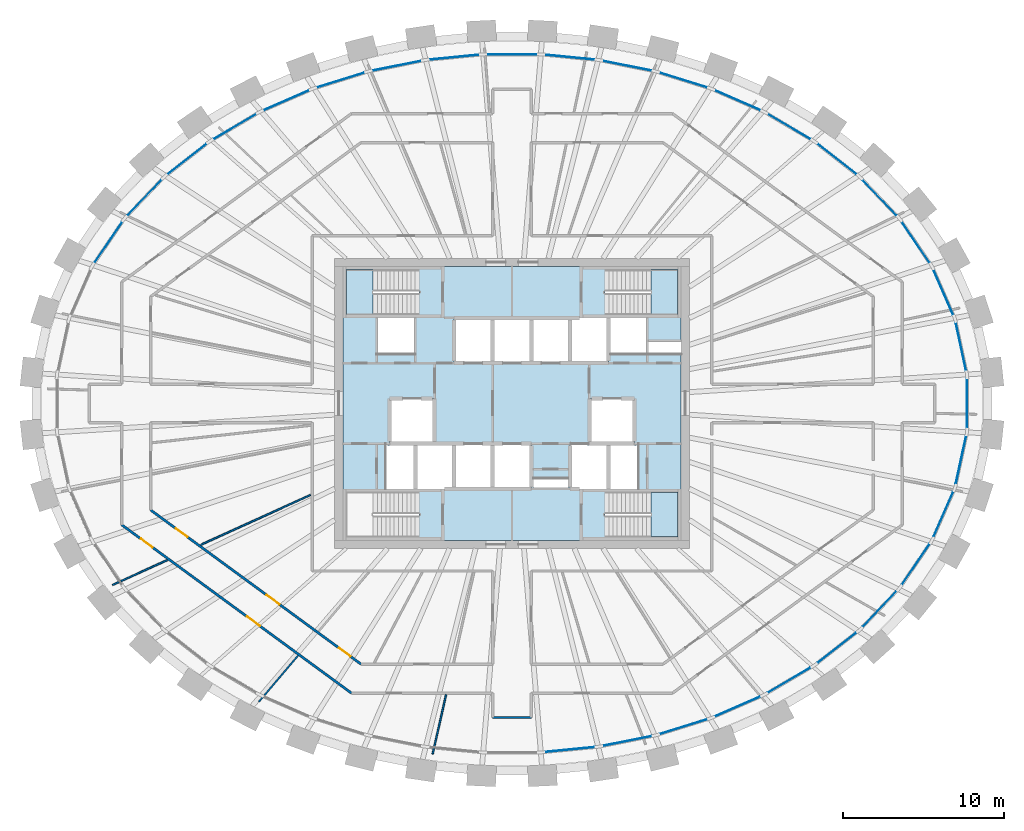
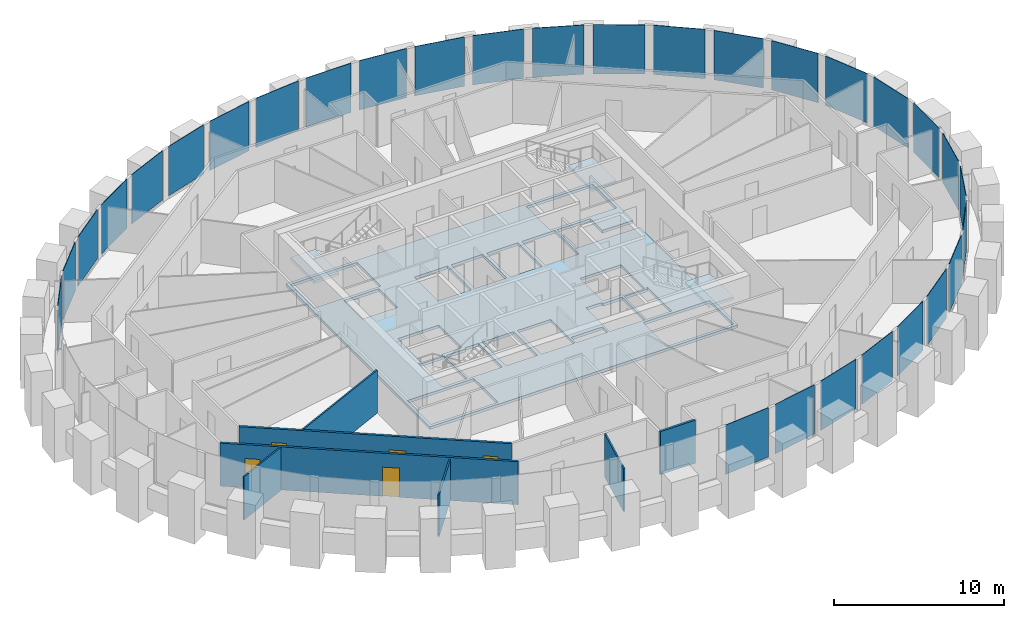
# One storey, part 5 of 12: 30 plates, 7 walls, 5 doors, 4 slabs, 5 openings, 4 elements without a shape of their own.
"""IFC4 building model written with IfcOpenShell, lengths in metres."""

from ifc_helpers import new_model, si_unit, direction, frame, frame_2d, origin, origin_2d, place, context, subcontext, project, spatial, polyline, rectangle, outline, extrude, source, transform, mapped, material, layer, layer_set, type_object, element, fill, aggregate, save


model = new_model("IFC4")

# Units and contexts
model_context = context("Model", 3, precision=1e-05, world=origin(), true_north=direction((0.0, 1.0)))
body_context = subcontext(model_context, "Body", "Model", "MODEL_VIEW")
ifc_project = project(units=[si_unit("LENGTHUNIT", "METRE"), si_unit("AREAUNIT", "SQUARE_METRE"), si_unit("VOLUMEUNIT", "CUBIC_METRE"), si_unit("PLANEANGLEUNIT", "RADIAN"), si_unit("MASSUNIT", "GRAM", prefix="KILO")], contexts=[model_context])

# Site, building, storey
site_placement = place(None, origin())
site = spatial("IfcSite", under=ifc_project, at=site_placement, CompositionType="ELEMENT")
building_placement = place(site_placement, origin())
building = spatial("IfcBuilding", under=site, at=building_placement, Name="Embergate Tower", CompositionType="ELEMENT")
storey_placement = place(building_placement, frame((0.0, 0.0, 320.800048828125)))
storey = spatial("IfcBuildingStorey", under=building, at=storey_placement, Name="L75", CompositionType="ELEMENT", Elevation=320.800048828125)

# Curtain wall, plates
ifc_material_1 = material(Name="Aluminium and glass", Category="aluminium")
curtain_wall_type = type_object("IfcCurtainWallType", Name="Recessed office glazing", PredefinedType="NOTDEFINED", material=ifc_material_1)
curtain_wall_placement = place(storey_placement, origin())
curtain_wall = element("IfcCurtainWall", 1, at=curtain_wall_placement, inside=storey, type_object=curtain_wall_type, Name="Recessed office glazing ring", ObjectType="RECESSED OFFICE GLAZING", PredefinedType="USERDEFINED")
ifc_material_2 = material(Name="Triple glazing, low-emissivity coating", Category="glass")
ifc_layer_1 = layer(ifc_material_2, 0.035888671875)
ifc_layer_set_1 = layer_set([ifc_layer_1], Name="Triple glazing, low-emissivity coating")
plate_type = type_object("IfcPlateType", Name="Office glazing unit", PredefinedType="CURTAIN_PANEL", material=ifc_layer_set_1)
shared_shape_1 = source(origin(), body_context, "Body", "SweptSolid", [
    extrude(rectangle(XDim=3.03515625, YDim=0.035888671875, at=origin_2d()), origin(), (0.0, 0.0, 1.0), 3.550048828125),
])
plate_1_placement = place(storey_placement, frame((27.854736328125, 3.513916015625, 0.14990234375), z_axis=(0.0, 0.0, 1.0), x_axis=(-0.210400097438, 0.977615363524, 0.0)))
plate_1 = element("IfcPlate", 2, at=plate_1_placement, type_object=plate_type, Name="CW panel 1.1", PredefinedType="CURTAIN_PANEL", context=body_context, shape_type="MappedRepresentation", body=[
    mapped(shared_shape_1, transform((0.0, 0.0, 0.0))),
])
plate_2_placement = place(storey_placement, frame((27.854736328125, -3.513916015625, 0.14990234375), z_axis=(0.0, 0.0, 1.0), x_axis=(0.210400097438, 0.977615363524, 0.0)))
plate_2 = element("IfcPlate", 3, at=plate_2_placement, type_object=plate_type, Name="CW panel 43.1", PredefinedType="CURTAIN_PANEL", context=body_context, shape_type="MappedRepresentation", body=[
    mapped(shared_shape_1, transform((0.0, 0.0, 0.0))),
])
shared_shape_2 = source(origin(), body_context, "Body", "SweptSolid", [
    extrude(rectangle(XDim=3.041748046875, YDim=0.035888671875, at=origin_2d()), origin(), (0.0, 0.0, 1.0), 3.550048828125),
])
plate_3_placement = place(storey_placement, frame((26.765380859375, 6.8828125, 0.14990234375), z_axis=(0.0, 0.0, 1.0), x_axis=(-0.401653699516, 0.915791627864, 0.0)))
plate_3 = element("IfcPlate", 4, at=plate_3_placement, type_object=plate_type, Name="CW panel 2.1", PredefinedType="CURTAIN_PANEL", context=body_context, shape_type="MappedRepresentation", body=[
    mapped(shared_shape_2, transform((0.0, 0.0, 0.0))),
])
plate_4_placement = place(storey_placement, frame((26.765380859375, -6.8828125, 0.14990234375), z_axis=(0.0, 0.0, 1.0), x_axis=(0.401653699516, 0.915791627864, 0.0)))
plate_4 = element("IfcPlate", 5, at=plate_4_placement, type_object=plate_type, Name="CW panel 42.1", PredefinedType="CURTAIN_PANEL", context=body_context, shape_type="MappedRepresentation", body=[
    mapped(shared_shape_2, transform((0.0, 0.0, 0.0))),
])
shared_shape_3 = source(origin(), body_context, "Body", "SweptSolid", [
    extrude(rectangle(XDim=3.05029296875, YDim=0.035888671875, at=origin_2d()), origin(), (0.0, 0.0, 1.0), 3.550048828125),
])
plate_5_placement = place(storey_placement, frame((25.04638671875, 9.98974609375, 0.14990234375), z_axis=(0.0, 0.0, 1.0), x_axis=(-0.562341741915, 0.826904931234, 0.0)))
plate_5 = element("IfcPlate", 6, at=plate_5_placement, type_object=plate_type, Name="CW panel 3.1", PredefinedType="CURTAIN_PANEL", context=body_context, shape_type="MappedRepresentation", body=[
    mapped(shared_shape_3, transform((0.0, 0.0, 0.0))),
])
plate_6_placement = place(storey_placement, frame((-25.04638671875, 9.98974609375, 0.14990234375), z_axis=(0.0, 0.0, 1.0), x_axis=(-0.562341741915, -0.826904931234, 0.0)))
plate_6 = element("IfcPlate", 7, at=plate_6_placement, type_object=plate_type, Name="CW panel 19.1", PredefinedType="CURTAIN_PANEL", context=body_context, shape_type="MappedRepresentation", body=[
    mapped(shared_shape_3, transform((0.0, 0.0, 0.0))),
])
plate_7_placement = place(storey_placement, frame((25.04638671875, -9.98974609375, 0.14990234375), z_axis=(0.0, 0.0, 1.0), x_axis=(0.562341741915, 0.826904931234, 0.0)))
plate_7 = element("IfcPlate", 8, at=plate_7_placement, type_object=plate_type, Name="CW panel 41.1", PredefinedType="CURTAIN_PANEL", context=body_context, shape_type="MappedRepresentation", body=[
    mapped(shared_shape_3, transform((0.0, 0.0, 0.0))),
])
shared_shape_4 = source(origin(), body_context, "Body", "SweptSolid", [
    extrude(rectangle(XDim=3.05859375, YDim=0.035888671875, at=origin_2d()), origin(), (0.0, 0.0, 1.0), 3.550048828125),
])
plate_8_placement = place(storey_placement, frame((22.8076171875, 12.7607421875, 0.14990234375), z_axis=(0.0, 0.0, 1.0), x_axis=(-0.6901325214, 0.723683012724, 0.0)))
plate_8 = element("IfcPlate", 9, at=plate_8_placement, type_object=plate_type, Name="CW panel 4.1", PredefinedType="CURTAIN_PANEL", context=body_context, shape_type="MappedRepresentation", body=[
    mapped(shared_shape_4, transform((0.0, 0.0, 0.0))),
])
plate_9_placement = place(storey_placement, frame((-22.8076171875, 12.7607421875, 0.14990234375), z_axis=(0.0, 0.0, 1.0), x_axis=(-0.6901325214, -0.723683012724, 0.0)))
plate_9 = element("IfcPlate", 10, at=plate_9_placement, type_object=plate_type, Name="CW panel 18.1", PredefinedType="CURTAIN_PANEL", context=body_context, shape_type="MappedRepresentation", body=[
    mapped(shared_shape_4, transform((0.0, 0.0, 0.0))),
])
plate_10_placement = place(storey_placement, frame((22.8076171875, -12.7607421875, 0.14990234375), z_axis=(0.0, 0.0, 1.0), x_axis=(0.6901325214, 0.723683012724, 0.0)))
plate_10 = element("IfcPlate", 11, at=plate_10_placement, type_object=plate_type, Name="CW panel 40.1", PredefinedType="CURTAIN_PANEL", context=body_context, shape_type="MappedRepresentation", body=[
    mapped(shared_shape_4, transform((0.0, 0.0, 0.0))),
])
shared_shape_5 = source(origin(), body_context, "Body", "SweptSolid", [
    extrude(rectangle(XDim=3.06591796875, YDim=0.035888671875, at=origin_2d()), origin(), (0.0, 0.0, 1.0), 3.550048828125),
])
plate_11_placement = place(storey_placement, frame((20.1591796875, 15.15869140625, 0.14990234375), z_axis=(0.0, 0.0, 1.0), x_axis=(-0.788317971569, 0.615268051911, 0.0)))
plate_11 = element("IfcPlate", 12, at=plate_11_placement, type_object=plate_type, Name="CW panel 5.1", PredefinedType="CURTAIN_PANEL", context=body_context, shape_type="MappedRepresentation", body=[
    mapped(shared_shape_5, transform((0.0, 0.0, 0.0))),
])
plate_12_placement = place(storey_placement, frame((-20.1591796875, 15.15869140625, 0.14990234375), z_axis=(0.0, 0.0, 1.0), x_axis=(-0.788317971569, -0.615268051911, 0.0)))
plate_12 = element("IfcPlate", 13, at=plate_12_placement, type_object=plate_type, Name="CW panel 17.1", PredefinedType="CURTAIN_PANEL", context=body_context, shape_type="MappedRepresentation", body=[
    mapped(shared_shape_5, transform((0.0, 0.0, 0.0))),
])
plate_13_placement = place(storey_placement, frame((20.1591796875, -15.15869140625, 0.14990234375), z_axis=(0.0, 0.0, 1.0), x_axis=(0.788317971569, 0.615268051911, 0.0)))
plate_13 = element("IfcPlate", 14, at=plate_13_placement, type_object=plate_type, Name="CW panel 39.1", PredefinedType="CURTAIN_PANEL", context=body_context, shape_type="MappedRepresentation", body=[
    mapped(shared_shape_5, transform((0.0, 0.0, 0.0))),
])
shared_shape_6 = source(origin(), body_context, "Body", "SweptSolid", [
    extrude(rectangle(XDim=3.07177734375, YDim=0.035888671875, at=origin_2d()), origin(), (0.0, 0.0, 1.0), 3.550048828125),
])
plate_14_placement = place(storey_placement, frame((17.19775390625, 17.172119140625, 0.14990234375), z_axis=(0.0, 0.0, 1.0), x_axis=(-0.862050514108, 0.506822366443, 0.0)))
plate_14 = element("IfcPlate", 15, at=plate_14_placement, type_object=plate_type, Name="CW panel 6.1", PredefinedType="CURTAIN_PANEL", context=body_context, shape_type="MappedRepresentation", body=[
    mapped(shared_shape_6, transform((0.0, 0.0, 0.0))),
])
plate_15_placement = place(storey_placement, frame((-17.19775390625, 17.172119140625, 0.14990234375), z_axis=(0.0, 0.0, 1.0), x_axis=(-0.862050514108, -0.506822366443, 0.0)))
plate_15 = element("IfcPlate", 16, at=plate_15_placement, type_object=plate_type, Name="CW panel 16.1", PredefinedType="CURTAIN_PANEL", context=body_context, shape_type="MappedRepresentation", body=[
    mapped(shared_shape_6, transform((0.0, 0.0, 0.0))),
])
plate_16_placement = place(storey_placement, frame((17.19775390625, -17.172119140625, 0.14990234375), z_axis=(0.0, 0.0, 1.0), x_axis=(0.862050514108, 0.506822366443, 0.0)))
plate_16 = element("IfcPlate", 17, at=plate_16_placement, type_object=plate_type, Name="CW panel 38.1", PredefinedType="CURTAIN_PANEL", context=body_context, shape_type="MappedRepresentation", body=[
    mapped(shared_shape_6, transform((0.0, 0.0, 0.0))),
])
shared_shape_7 = source(origin(), body_context, "Body", "SweptSolid", [
    extrude(rectangle(XDim=3.076171875, YDim=0.035888671875, at=origin_2d()), origin(), (0.0, 0.0, 1.0), 3.550048828125),
])
plate_17_placement = place(storey_placement, frame((14.002197265625, 18.802734375, 0.14990234375), z_axis=(0.0, 0.0, 1.0), x_axis=(-0.91623411399, 0.400643293168, 0.0)))
plate_17 = element("IfcPlate", 18, at=plate_17_placement, type_object=plate_type, Name="CW panel 7.1", PredefinedType="CURTAIN_PANEL", context=body_context, shape_type="MappedRepresentation", body=[
    mapped(shared_shape_7, transform((0.0, 0.0, 0.0))),
])
plate_18_placement = place(storey_placement, frame((-14.002197265625, 18.802734375, 0.14990234375), z_axis=(0.0, 0.0, 1.0), x_axis=(-0.91623411399, -0.400643293168, 0.0)))
plate_18 = element("IfcPlate", 19, at=plate_18_placement, type_object=plate_type, Name="CW panel 15.1", PredefinedType="CURTAIN_PANEL", context=body_context, shape_type="MappedRepresentation", body=[
    mapped(shared_shape_7, transform((0.0, 0.0, 0.0))),
])
plate_19_placement = place(storey_placement, frame((14.002197265625, -18.802734375, 0.14990234375), z_axis=(0.0, 0.0, 1.0), x_axis=(0.91623411399, 0.400643293168, 0.0)))
plate_19 = element("IfcPlate", 20, at=plate_19_placement, type_object=plate_type, Name="CW panel 37.1", PredefinedType="CURTAIN_PANEL", context=body_context, shape_type="MappedRepresentation", body=[
    mapped(shared_shape_7, transform((0.0, 0.0, 0.0))),
])
shared_shape_8 = source(origin(), body_context, "Body", "SweptSolid", [
    extrude(rectangle(XDim=3.079345703125, YDim=0.035888671875, at=origin_2d()), origin(), (0.0, 0.0, 1.0), 3.550048828125),
])
plate_20_placement = place(storey_placement, frame((10.636474609375, 20.05810546875, 0.14990234375), z_axis=(0.0, 0.0, 1.0), x_axis=(-0.954771179262, 0.297341546458, 0.0)))
plate_20 = element("IfcPlate", 21, at=plate_20_placement, type_object=plate_type, Name="CW panel 8.1", PredefinedType="CURTAIN_PANEL", context=body_context, shape_type="MappedRepresentation", body=[
    mapped(shared_shape_8, transform((0.0, 0.0, 0.0))),
])
plate_21_placement = place(storey_placement, frame((-10.636474609375, 20.05810546875, 0.14990234375), z_axis=(0.0, 0.0, 1.0), x_axis=(-0.954771179262, -0.297341546458, 0.0)))
plate_21 = element("IfcPlate", 22, at=plate_21_placement, type_object=plate_type, Name="CW panel 14.1", PredefinedType="CURTAIN_PANEL", context=body_context, shape_type="MappedRepresentation", body=[
    mapped(shared_shape_8, transform((0.0, 0.0, 0.0))),
])
plate_22_placement = place(storey_placement, frame((10.636474609375, -20.05810546875, 0.14990234375), z_axis=(0.0, 0.0, 1.0), x_axis=(0.954771179262, 0.297341546458, 0.0)))
plate_22 = element("IfcPlate", 23, at=plate_22_placement, type_object=plate_type, Name="CW panel 36.1", PredefinedType="CURTAIN_PANEL", context=body_context, shape_type="MappedRepresentation", body=[
    mapped(shared_shape_8, transform((0.0, 0.0, 0.0))),
])
shared_shape_9 = source(origin(), body_context, "Body", "SweptSolid", [
    extrude(rectangle(XDim=3.08154296875, YDim=0.035888671875, at=origin_2d()), origin(), (0.0, 0.0, 1.0), 3.550048828125),
])
plate_23_placement = place(storey_placement, frame((7.152587890625, 20.947509765625, 0.14990234375), z_axis=(0.0, 0.0, 1.0), x_axis=(-0.980475221003, 0.196642673395, 0.0)))
plate_23 = element("IfcPlate", 24, at=plate_23_placement, type_object=plate_type, Name="CW panel 9.1", PredefinedType="CURTAIN_PANEL", context=body_context, shape_type="MappedRepresentation", body=[
    mapped(shared_shape_9, transform((0.0, 0.0, 0.0))),
])
plate_24_placement = place(storey_placement, frame((-7.152587890625, 20.947509765625, 0.14990234375), z_axis=(0.0, 0.0, 1.0), x_axis=(-0.980475221003, -0.196642673395, 0.0)))
plate_24 = element("IfcPlate", 25, at=plate_24_placement, type_object=plate_type, Name="CW panel 13.1", PredefinedType="CURTAIN_PANEL", context=body_context, shape_type="MappedRepresentation", body=[
    mapped(shared_shape_9, transform((0.0, 0.0, 0.0))),
])
plate_25_placement = place(storey_placement, frame((7.152587890625, -20.947509765625, 0.14990234375), z_axis=(0.0, 0.0, 1.0), x_axis=(0.980475221003, 0.196642673395, 0.0)))
plate_25 = element("IfcPlate", 26, at=plate_25_placement, type_object=plate_type, Name="CW panel 35.1", PredefinedType="CURTAIN_PANEL", context=body_context, shape_type="MappedRepresentation", body=[
    mapped(shared_shape_9, transform((0.0, 0.0, 0.0))),
])
shared_shape_10 = source(origin(), body_context, "Body", "SweptSolid", [
    extrude(rectangle(XDim=3.082763671875, YDim=0.035888671875, at=origin_2d()), origin(), (0.0, 0.0, 1.0), 3.550048828125),
])
plate_26_placement = place(storey_placement, frame((3.59423828125, 21.477783203125, 0.14990234375), z_axis=(0.0, 0.0, 1.0), x_axis=(-0.995203014042, 0.097831287645, 0.0)))
plate_26 = element("IfcPlate", 27, at=plate_26_placement, type_object=plate_type, Name="CW panel 10.1", PredefinedType="CURTAIN_PANEL", context=body_context, shape_type="MappedRepresentation", body=[
    mapped(shared_shape_10, transform((0.0, 0.0, 0.0))),
])
plate_27_placement = place(storey_placement, frame((-3.59423828125, 21.477783203125, 0.14990234375), z_axis=(0.0, 0.0, 1.0), x_axis=(-0.995203014042, -0.097831287645, 0.0)))
plate_27 = element("IfcPlate", 28, at=plate_27_placement, type_object=plate_type, Name="CW panel 12.1", PredefinedType="CURTAIN_PANEL", context=body_context, shape_type="MappedRepresentation", body=[
    mapped(shared_shape_10, transform((0.0, 0.0, 0.0))),
])
plate_28_placement = place(storey_placement, frame((3.59423828125, -21.477783203125, 0.14990234375), z_axis=(0.0, 0.0, 1.0), x_axis=(0.995203014042, 0.097831287645, 0.0)))
plate_28 = element("IfcPlate", 29, at=plate_28_placement, type_object=plate_type, Name="CW panel 34.1", PredefinedType="CURTAIN_PANEL", context=body_context, shape_type="MappedRepresentation", body=[
    mapped(shared_shape_10, transform((0.0, 0.0, 0.0))),
])
shared_shape_11 = source(origin(), body_context, "Body", "SweptSolid", [
    extrude(rectangle(XDim=3.083251953125, YDim=0.035888671875, at=origin_2d()), origin(), (0.0, 0.0, 1.0), 3.550048828125),
])
plate_29_placement = place(storey_placement, frame((0.0, 21.654052734375, 0.14990234375), z_axis=(0.0, 0.0, 1.0), x_axis=(-1.0, 0.0, 0.0)))
plate_29 = element("IfcPlate", 30, at=plate_29_placement, type_object=plate_type, Name="CW panel 11.1", PredefinedType="CURTAIN_PANEL", context=body_context, shape_type="MappedRepresentation", body=[
    mapped(shared_shape_11, transform((0.0, 0.0, 0.0))),
])
shared_shape_12 = source(origin(), body_context, "Body", "SweptSolid", [
    extrude(rectangle(XDim=3.032470703125, YDim=0.035888671875, at=origin_2d()), origin(), (0.0, 0.0, 1.0), 3.550048828125),
])
plate_30_placement = place(storey_placement, frame((28.228759765625, 0.0, 0.14990234375), z_axis=(0.0, 0.0, 1.0), x_axis=(0.0, 1.0, 0.0)))
plate_30 = element("IfcPlate", 31, at=plate_30_placement, type_object=plate_type, Name="CW panel 44.1", PredefinedType="CURTAIN_PANEL", context=body_context, shape_type="MappedRepresentation", body=[
    mapped(shared_shape_12, transform((0.0, 0.0, 0.0))),
])
aggregate(curtain_wall, [plate_1, plate_3, plate_5, plate_8, plate_11, plate_14, plate_17, plate_20, plate_23, plate_26, plate_29, plate_27, plate_24, plate_21, plate_18, plate_15, plate_12, plate_9, plate_6, plate_28, plate_25, plate_22, plate_19, plate_16, plate_13, plate_10, plate_7, plate_4, plate_2, plate_30])

# Stair, slab
ifc_material_3 = material(Name="Exit stair")
stair_type = type_object("IfcStairType", Name="Exit stair", PredefinedType="HALF_TURN_STAIR", material=ifc_material_3)
stair_1_placement = place(storey_placement, origin())
stair_1 = element("IfcStair", 32, at=stair_1_placement, inside=storey, type_object=stair_type, Name="L75 Exit stair 1", PredefinedType="HALF_TURN_STAIR")
ifc_material_4 = material(Name="Concrete C40", Category="concrete")
ifc_layer_2 = layer(ifc_material_4, 0.199951171875)
ifc_layer_set_2 = layer_set([ifc_layer_2], Name="Concrete C40")
slab_type_1 = type_object("IfcSlabType", Name="Stair landing reinforced concrete", PredefinedType="LANDING", material=ifc_layer_set_2)
shared_shape_13 = source(origin(), body_context, "Body", "SweptSolid", [
    extrude(outline(polyline([(0.0, 0.0), (1.68994140625, 0.0), (1.68994140625, 2.800048828125), (0.0, 2.800048828125), (0.0, 0.0)])), origin(), (0.0, 0.0, 1.0), 0.199951171875),
])
slab_1_placement = place(storey_placement, frame((-10.300048828125, 5.5, 1.75)))
slab_1 = element("IfcSlab", 33, at=slab_1_placement, type_object=slab_type_1, Name="ST1 landing 1", PredefinedType="LANDING", context=body_context, shape_type="MappedRepresentation", body=[
    mapped(shared_shape_13, transform((0.0, 0.0, 0.0))),
])
aggregate(stair_1, [slab_1])

stair_2_placement = place(storey_placement, origin())
stair_2 = element("IfcStair", 34, at=stair_2_placement, inside=storey, type_object=stair_type, Name="L75 Exit stair 2", PredefinedType="HALF_TURN_STAIR")
slab_2_placement = place(storey_placement, frame((8.610107421875, 5.5, 1.75)))
slab_2 = element("IfcSlab", 35, at=slab_2_placement, type_object=slab_type_1, Name="ST2 landing 1", PredefinedType="LANDING", context=body_context, shape_type="MappedRepresentation", body=[
    mapped(shared_shape_13, transform((0.0, 0.0, 0.0))),
])
aggregate(stair_2, [slab_2])

stair_3_placement = place(storey_placement, origin())
stair_3 = element("IfcStair", 36, at=stair_3_placement, inside=storey, type_object=stair_type, Name="L75 Exit stair 4", PredefinedType="HALF_TURN_STAIR")
slab_3_placement = place(storey_placement, frame((8.610107421875, -8.300048828125, 1.75)))
slab_3 = element("IfcSlab", 37, at=slab_3_placement, type_object=slab_type_1, Name="ST4 landing 1", PredefinedType="LANDING", context=body_context, shape_type="MappedRepresentation", body=[
    mapped(shared_shape_13, transform((0.0, 0.0, 0.0))),
])
aggregate(stair_3, [slab_3])

# Slab
ifc_layer_3 = layer(ifc_material_4, 0.199951171875)
ifc_layer_set_3 = layer_set([ifc_layer_3], Name="Concrete C40")
slab_type_2 = type_object("IfcSlabType", Name="Core floor slab 200 reinforced concrete", PredefinedType="FLOOR", material=ifc_layer_set_3)
shared_shape_14 = source(origin(), body_context, "Body", "SweptSolid", [
    extrude(outline(polyline([(0.0, 0.0), (21.0, 0.0), (21.0, 11.60009765625), (18.89990234375, 11.60009765625), (16.625, 11.60009765625), (16.625, 13.800048828125), (18.89990234375, 13.800048828125), (18.89990234375, 12.39990234375), (21.0, 12.39990234375), (21.0, 17.0), (0.0, 17.0), (0.0, 0.0)]), holes=[polyline([(0.199951171875, 0.199951171875), (0.199951171875, 3.0), (4.739990234375, 3.0), (4.739990234375, 0.199951171875), (0.199951171875, 0.199951171875)]), polyline([(16.260009765625, 0.199951171875), (16.260009765625, 3.0), (20.800048828125, 3.0), (20.800048828125, 0.199951171875), (16.260009765625, 0.199951171875)]), polyline([(2.699951171875, 3.199951171875), (2.699951171875, 6.0), (2.77490234375, 6.0), (2.77490234375, 5.875), (4.375, 5.875), (4.375, 3.199951171875), (2.699951171875, 3.199951171875)]), polyline([(4.5, 3.199951171875), (4.5, 5.875), (5.824951171875, 5.875), (5.824951171875, 6.0), (6.77490234375, 6.0), (6.77490234375, 3.199951171875), (4.5, 3.199951171875)]), polyline([(7.02490234375, 3.199951171875), (7.02490234375, 6.0), (9.175048828125, 6.0), (9.175048828125, 3.199951171875), (7.02490234375, 3.199951171875)]), polyline([(9.425048828125, 3.199951171875), (9.425048828125, 6.0), (11.699951171875, 6.0), (11.699951171875, 3.199951171875), (9.425048828125, 3.199951171875)]), polyline([(11.824951171875, 3.199951171875), (11.824951171875, 3.803955078125), (13.97509765625, 3.803955078125), (13.97509765625, 3.199951171875), (11.824951171875, 3.199951171875)]), polyline([(14.10009765625, 3.199951171875), (14.10009765625, 6.0), (15.175048828125, 6.0), (15.175048828125, 5.875), (16.5, 5.875), (16.5, 3.199951171875), (14.10009765625, 3.199951171875)]), polyline([(16.625, 3.199951171875), (16.625, 5.875), (18.22509765625, 5.875), (18.22509765625, 6.0), (18.300048828125, 6.0), (18.300048828125, 3.199951171875), (16.625, 3.199951171875)]), polyline([(2.89990234375, 6.0), (2.89990234375, 8.800048828125), (5.699951171875, 8.800048828125), (5.699951171875, 6.125), (4.375, 6.125), (4.375, 6.0), (2.89990234375, 6.0)]), polyline([(16.625, 6.0), (16.625, 6.125), (15.300048828125, 6.125), (15.300048828125, 8.800048828125), (18.10009765625, 8.800048828125), (18.10009765625, 6.0), (16.625, 6.0)]), polyline([(6.89990234375, 11.0), (6.89990234375, 13.800048828125), (9.175048828125, 13.800048828125), (9.175048828125, 11.0), (6.89990234375, 11.0)]), polyline([(9.425048828125, 11.0), (9.425048828125, 13.800048828125), (11.574951171875, 13.800048828125), (11.574951171875, 11.0), (9.425048828125, 11.0)]), polyline([(11.824951171875, 11.0), (11.824951171875, 13.800048828125), (13.97509765625, 13.800048828125), (13.97509765625, 11.0), (11.824951171875, 11.0)]), polyline([(14.22509765625, 11.0), (14.22509765625, 13.800048828125), (16.5, 13.800048828125), (16.5, 11.0), (14.22509765625, 11.0)]), polyline([(2.10009765625, 11.60009765625), (2.10009765625, 13.800048828125), (4.5, 13.800048828125), (4.5, 11.60009765625), (2.10009765625, 11.60009765625)]), polyline([(0.199951171875, 14.0), (0.199951171875, 16.800048828125), (4.739990234375, 16.800048828125), (4.739990234375, 14.0), (0.199951171875, 14.0)]), polyline([(16.260009765625, 14.0), (16.260009765625, 16.800048828125), (20.800048828125, 16.800048828125), (20.800048828125, 14.0), (16.260009765625, 14.0)])]), origin(), (0.0, 0.0, 1.0), 0.199951171875),
])
slab_4_placement = place(storey_placement, frame((-10.5, -8.5, -0.199951171875)))
element("IfcSlab", 38, at=slab_4_placement, inside=storey, type_object=slab_type_2, Name="Core floor slab", PredefinedType="FLOOR", context=body_context, shape_type="MappedRepresentation", body=[
    mapped(shared_shape_14, transform((0.0, 0.0, 0.0))),
])

# Walls
ifc_material_5 = material(Name="Corridor wall dry-lined 150")
ifc_layer_4 = layer(ifc_material_5, 0.14990234375)
ifc_layer_set_4 = layer_set([ifc_layer_4], Name="Corridor wall dry-lined 150")
wall_type_1 = type_object("IfcWallType", Name="Corridor wall dry-lined 150", PredefinedType="PARTITIONING", material=ifc_layer_set_4)
shared_shape_15 = source(origin(), body_context, "Body", "SweptSolid", [
    extrude(rectangle(XDim=2.39990234375, YDim=0.14990234375, at=frame_2d((1.199951171875, 0.0))), origin(), (0.0, 0.0, 1.0), 3.099853515625),
])
wall_1_placement = place(storey_placement, frame((1.199951171875, -19.490966796875, 0.0), z_axis=(0.0, 0.0, 1.0), x_axis=(-1.0, 0.0, 0.0)))
element("IfcWall", 39, at=wall_1_placement, inside=storey, type_object=wall_type_1, Name="IP-2 wall", PredefinedType="PARTITIONING", context=body_context, shape_type="MappedRepresentation", body=[
    mapped(shared_shape_15, transform((0.0, 0.0, 0.0))),
])
ifc_material_6 = material(Name="Partition dry-lined 100")
ifc_layer_5 = layer(ifc_material_6, 0.10009765625)
ifc_layer_set_5 = layer_set([ifc_layer_5], Name="Partition dry-lined 100")
wall_type_2 = type_object("IfcWallType", Name="Partition dry-lined 100", PredefinedType="PARTITIONING", material=ifc_layer_set_5)
shared_shape_16 = source(origin(), body_context, "Body", "SweptSolid", [
    extrude(rectangle(XDim=3.768798828125, YDim=0.10009765625, at=frame_2d((1.88427734375, 0.0))), origin(), (0.0, 0.0, 1.0), 3.0),
])
wall_2_placement = place(storey_placement, frame((-13.27099609375, -15.64501953125, 0.0), z_axis=(0.0, 0.0, 1.0), x_axis=(-0.646888419483, -0.762584665948, 0.0)))
element("IfcWall", 40, at=wall_2_placement, inside=storey, type_object=wall_type_2, Name="IP-1 wall", PredefinedType="PARTITIONING", context=body_context, shape_type="MappedRepresentation", body=[
    mapped(shared_shape_16, transform((0.0, 0.0, 0.0))),
])

# Wall, openings, doors
shared_shape_17 = source(origin(), body_context, "Body", "SweptSolid", [
    extrude(rectangle(XDim=17.682373046875, YDim=0.14990234375, at=frame_2d((8.84130859375, 0.0))), origin(), (0.0, 0.0, 1.0), 3.099853515625),
])
wall_3_placement = place(storey_placement, frame((-9.952880859375, -17.98291015625, 0.0), z_axis=(0.0, 0.0, 1.0), x_axis=(-0.806686271558, 0.590979914447, 0.0)))
wall_3 = element("IfcWall", 41, at=wall_3_placement, inside=storey, type_object=wall_type_1, Name="IP-2 wall", PredefinedType="PARTITIONING", context=body_context, shape_type="MappedRepresentation", body=[
    mapped(shared_shape_17, transform((0.0, 0.0, 0.0))),
])
shared_shape_18 = source(origin(), body_context, "Body", "SweptSolid", [
    extrude(rectangle(XDim=0.89990234375, YDim=2.10009765625, at=frame_2d((0.449951171875, 1.050048828125))), frame((0.0, 0.0849609375, 0.0), z_axis=(0.0, -1.0, 0.0), x_axis=(1.0, 0.0, 0.0)), (0.0, 0.0, 1.0), 0.169921875),
])
opening_1_placement = place(wall_3_placement, frame((15.3125, 0.0, 0.0)))
opening_1 = element("IfcOpeningElement", 42, at=opening_1_placement, cuts=wall_3, Name="Opening IF-1c", PredefinedType="OPENING", context=body_context, shape_type="MappedRepresentation", body=[
    mapped(shared_shape_18, transform((0.0, 0.0, 0.0))),
])
shared_shape_19 = source(origin(), body_context, "Body", "SweptSolid", [
    extrude(rectangle(XDim=1.0, YDim=2.10009765625, at=frame_2d((0.5, 1.050048828125))), frame((0.0, 0.0849609375, 0.0), z_axis=(0.0, -1.0, 0.0), x_axis=(1.0, 0.0, 0.0)), (0.0, 0.0, 1.0), 0.169921875),
])
opening_2_placement = place(wall_3_placement, frame((7.041748046875, 0.0, 0.0)))
opening_2 = element("IfcOpeningElement", 43, at=opening_2_placement, cuts=wall_3, Name="Opening ID-2", PredefinedType="OPENING", context=body_context, shape_type="MappedRepresentation", body=[
    mapped(shared_shape_19, transform((0.0, 0.0, 0.0))),
])
ifc_material_7 = material(Name="Escape fire door 900")
door_type_1 = type_object("IfcDoorType", Name="Escape fire door 900", OperationType="SINGLE_SWING_LEFT", PredefinedType="DOOR", material=ifc_material_7)
shared_shape_20 = source(origin(), body_context, "Body", "SweptSolid", [
    extrude(rectangle(XDim=0.89990234375, YDim=2.10009765625, at=frame_2d((0.449951171875, 1.050048828125))), frame((0.0, 0.02490234375, 0.0), z_axis=(0.0, -1.0, 0.0), x_axis=(1.0, 0.0, 0.0)), (0.0, 0.0, 1.0), 0.050048828125),
])
door_1_placement = place(opening_1_placement, origin())
door_1 = element("IfcDoor", 44, at=door_1_placement, inside=storey, type_object=door_type_1, Name="IF-1 door", OperationType="SINGLE_SWING_RIGHT", OverallHeight=2.10009765625, OverallWidth=0.89990234375, PredefinedType="DOOR", context=body_context, shape_type="MappedRepresentation", body=[
    mapped(shared_shape_20, transform((0.0, 0.0, 0.0))),
])
fill(opening_1, door_1)
ifc_material_8 = material(Name="Interior door 1000")
door_type_2 = type_object("IfcDoorType", Name="Interior door 1000", OperationType="SINGLE_SWING_LEFT", PredefinedType="DOOR", material=ifc_material_8)
shared_shape_21 = source(origin(), body_context, "Body", "SweptSolid", [
    extrude(rectangle(XDim=1.0, YDim=2.10009765625, at=frame_2d((0.5, 1.050048828125))), frame((0.0, 0.02490234375, 0.0), z_axis=(0.0, -1.0, 0.0), x_axis=(1.0, 0.0, 0.0)), (0.0, 0.0, 1.0), 0.050048828125),
])
door_2_placement = place(opening_2_placement, origin())
door_2 = element("IfcDoor", 45, at=door_2_placement, inside=storey, type_object=door_type_2, Name="ID-2 door", OperationType="SINGLE_SWING_RIGHT", OverallHeight=2.10009765625, OverallWidth=1.0, PredefinedType="DOOR", context=body_context, shape_type="MappedRepresentation", body=[
    mapped(shared_shape_21, transform((0.0, 0.0, 0.0))),
])
fill(opening_2, door_2)

shared_shape_22 = source(origin(), body_context, "Body", "SweptSolid", [
    extrude(rectangle(XDim=16.18115234375, YDim=0.14990234375, at=frame_2d((8.090576171875, 0.0))), origin(), (0.0, 0.0, 1.0), 3.099853515625),
])
wall_4_placement = place(storey_placement, frame((-22.4169921875, -6.6201171875, 0.0), z_axis=(0.0, 0.0, 1.0), x_axis=(0.80667592694, -0.590994034569, 0.0)))
wall_4 = element("IfcWall", 46, at=wall_4_placement, inside=storey, type_object=wall_type_1, Name="IP-2 wall", PredefinedType="PARTITIONING", context=body_context, shape_type="MappedRepresentation", body=[
    mapped(shared_shape_22, transform((0.0, 0.0, 0.0))),
])
opening_3_placement = place(wall_4_placement, frame((1.92529296875, 0.0, 0.0)))
opening_3 = element("IfcOpeningElement", 47, at=opening_3_placement, cuts=wall_4, Name="Opening IF-1c", PredefinedType="OPENING", context=body_context, shape_type="MappedRepresentation", body=[
    mapped(shared_shape_18, transform((0.0, 0.0, 0.0))),
])
opening_4_placement = place(wall_4_placement, frame((8.9140625, 0.0, 0.0)))
opening_4 = element("IfcOpeningElement", 48, at=opening_4_placement, cuts=wall_4, Name="Opening ID-2", PredefinedType="OPENING", context=body_context, shape_type="MappedRepresentation", body=[
    mapped(shared_shape_19, transform((0.0, 0.0, 0.0))),
])
opening_5_placement = place(wall_4_placement, frame((14.485595703125, 0.0, 0.0)))
opening_5 = element("IfcOpeningElement", 49, at=opening_5_placement, cuts=wall_4, Name="Opening IF-1c", PredefinedType="OPENING", context=body_context, shape_type="MappedRepresentation", body=[
    mapped(shared_shape_18, transform((0.0, 0.0, 0.0))),
])
door_3_placement = place(opening_3_placement, origin())
door_3 = element("IfcDoor", 50, at=door_3_placement, inside=storey, type_object=door_type_1, Name="IF-1 door", OperationType="SINGLE_SWING_RIGHT", OverallHeight=2.10009765625, OverallWidth=0.89990234375, PredefinedType="DOOR", context=body_context, shape_type="MappedRepresentation", body=[
    mapped(shared_shape_20, transform((0.0, 0.0, 0.0))),
])
fill(opening_3, door_3)
door_4_placement = place(opening_5_placement, origin())
door_4 = element("IfcDoor", 51, at=door_4_placement, inside=storey, type_object=door_type_1, Name="IF-1 door", OperationType="SINGLE_SWING_LEFT", OverallHeight=2.10009765625, OverallWidth=0.89990234375, PredefinedType="DOOR", context=body_context, shape_type="MappedRepresentation", body=[
    mapped(shared_shape_20, transform((0.0, 0.0, 0.0))),
])
fill(opening_5, door_4)
door_5_placement = place(opening_4_placement, origin())
door_5 = element("IfcDoor", 52, at=door_5_placement, inside=storey, type_object=door_type_2, Name="ID-2 door", OperationType="SINGLE_SWING_RIGHT", OverallHeight=2.10009765625, OverallWidth=1.0, PredefinedType="DOOR", context=body_context, shape_type="MappedRepresentation", body=[
    mapped(shared_shape_21, transform((0.0, 0.0, 0.0))),
])
fill(opening_4, door_5)

# Walls
shared_shape_23 = source(origin(), body_context, "Body", "SweptSolid", [
    extrude(rectangle(XDim=3.73046875, YDim=0.10009765625, at=frame_2d((1.865234375, 0.0))), origin(), (0.0, 0.0, 1.0), 3.099853515625),
])
wall_5_placement = place(storey_placement, frame((-21.39404296875, -9.72412109375, 0.0), z_axis=(0.0, 0.0, 1.0), x_axis=(-0.910335097273, -0.413871973771, 0.0)))
element("IfcWall", 53, at=wall_5_placement, inside=storey, type_object=wall_type_2, Name="IP-1 wall", PredefinedType="PARTITIONING", context=body_context, shape_type="MappedRepresentation", body=[
    mapped(shared_shape_23, transform((0.0, 0.0, 0.0))),
])
shared_shape_24 = source(origin(), body_context, "Body", "SweptSolid", [
    extrude(rectangle(XDim=7.48095703125, YDim=0.10009765625, at=frame_2d((3.740478515625, 0.0))), origin(), (0.0, 0.0, 1.0), 3.099853515625),
])
wall_6_placement = place(storey_placement, frame((-12.49609375, -5.679931640625, 0.0), z_axis=(0.0, 0.0, 1.0), x_axis=(-0.910408942423, -0.41370950866, 0.0)))
element("IfcWall", 54, at=wall_6_placement, inside=storey, type_object=wall_type_2, Name="IP-1 wall", PredefinedType="PARTITIONING", context=body_context, shape_type="MappedRepresentation", body=[
    mapped(shared_shape_24, transform((0.0, 0.0, 0.0))),
])
shared_shape_25 = source(origin(), body_context, "Body", "SweptSolid", [
    extrude(rectangle(XDim=3.784423828125, YDim=0.10009765625, at=frame_2d((1.89208984375, 0.0))), origin(), (0.0, 0.0, 1.0), 3.099853515625),
])
wall_7_placement = place(storey_placement, frame((-4.089111328125, -18.070068359375, 0.0), z_axis=(0.0, 0.0, 1.0), x_axis=(-0.220890492216, -0.97529861604, 0.0)))
element("IfcWall", 55, at=wall_7_placement, inside=storey, type_object=wall_type_2, Name="IP-1 wall", PredefinedType="PARTITIONING", context=body_context, shape_type="MappedRepresentation", body=[
    mapped(shared_shape_25, transform((0.0, 0.0, 0.0))),
])

save(model, "model.ifc")
